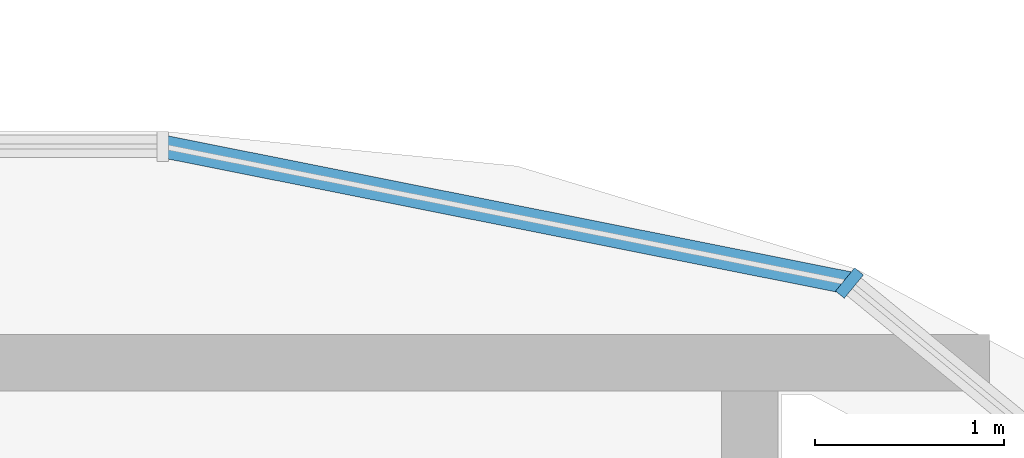
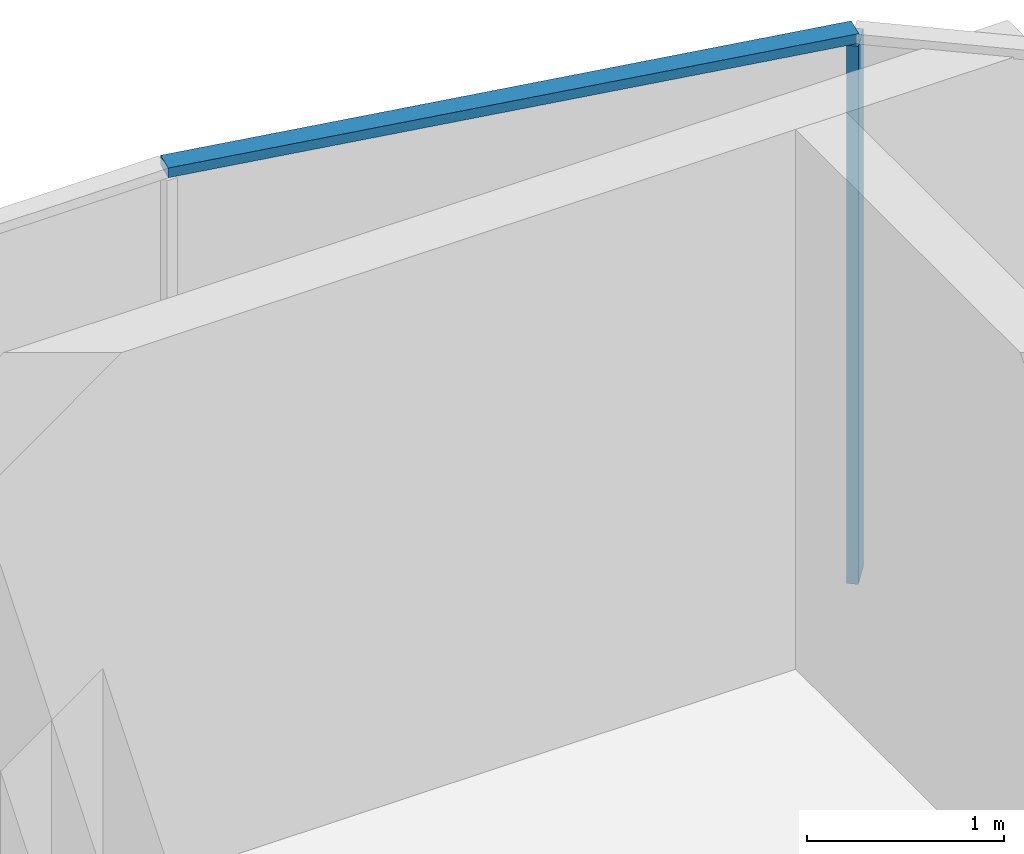
# One storey, part 5 of 18: 2 members, 1 element without a shape of its own.
"""IFC4 building model written with IfcOpenShell, lengths in metres."""

from ifc_helpers import new_model, si_unit, direction, frame, origin, origin_2d, place, context, subcontext, project, spatial, rectangle, extrude, material, material_profile, profile_set, type_object, element, aggregate, save


model = new_model("IFC4")

# Units and contexts
model_context = context("Model", 3, precision=1e-05, world=origin(), true_north=direction((0.0, 1.0)))
body_context = subcontext(model_context, "Body", "Model", "MODEL_VIEW")
ifc_project = project(units=[si_unit("LENGTHUNIT", "METRE"), si_unit("AREAUNIT", "SQUARE_METRE"), si_unit("VOLUMEUNIT", "CUBIC_METRE"), si_unit("PLANEANGLEUNIT", "RADIAN"), si_unit("MASSUNIT", "GRAM", prefix="KILO")], contexts=[model_context])

# Site, building, storey
site_placement = place(None, origin())
site = spatial("IfcSite", under=ifc_project, at=site_placement, CompositionType="ELEMENT")
building_placement = place(site_placement, origin())
building = spatial("IfcBuilding", under=site, at=building_placement, Name="Ogive Portal Towers", CompositionType="ELEMENT")
storey_placement = place(building_placement, frame((0.0, 0.0, 240.199951171875)))
storey = spatial("IfcBuildingStorey", under=building, at=storey_placement, Name="L60", CompositionType="ELEMENT", Elevation=240.199951171875)

# Curtain wall, members
ifc_material_1 = material(Name="Glass, clear low-iron insulated glazing", Category="glass")
curtain_wall_type = type_object("IfcCurtainWallType", Name="CW FRONT RIBBON 4500", PredefinedType="NOTDEFINED", material=ifc_material_1)
curtain_wall_placement = place(storey_placement, origin())
curtain_wall = element("IfcCurtainWall", 1, at=curtain_wall_placement, inside=storey, type_object=curtain_wall_type, Name="A:L60:f13:cwa", PredefinedType="NOTDEFINED")
ifc_material_2 = material(Name="Aluminium 6063 anodised", Category="aluminium")
ifc_material_profile_1 = material_profile(ifc_material_2, rectangle(XDim=0.159912109375, YDim=0.06005859375, at=origin_2d()), Name="AL 60x160")
ifc_profile_set_1 = profile_set([ifc_material_profile_1], Name="Aluminium 6063 anodised")
member_type_1 = type_object("IfcMemberType", Name="CW MULLION 60x160", PredefinedType="MULLION", material=ifc_profile_set_1)
member_1_placement = place(storey_placement, frame((91.12890625, 41.271484375, 0.0), z_axis=(0.0, 0.0, 1.0), x_axis=(-0.634393284164, -0.773010453363, 0.0)))
member_1 = element("IfcMember", 2, at=member_1_placement, type_object=member_type_1, Name="mullion", PredefinedType="MULLION", context=body_context, shape_type="SweptSolid", body=[
    extrude(rectangle(XDim=0.159912109375, YDim=0.06005859375, at=origin_2d()), origin(), (0.0, 0.0, 1.0), 3.340087890625),
])
ifc_material_profile_2 = material_profile(ifc_material_2, rectangle(XDim=0.1201171875, YDim=0.06005859375, at=origin_2d()), Name="AL 120x60")
ifc_profile_set_2 = profile_set([ifc_material_profile_2], Name="Aluminium 6063 anodised")
member_type_2 = type_object("IfcMemberType", Name="CW TRANSOM 60x120", PredefinedType="USERDEFINED", material=ifc_profile_set_2)
member_2_placement = place(storey_placement, frame((91.12890625, 41.271484375, 3.3701171875), z_axis=(-0.980772662828, 0.195153744134, 0.0), x_axis=(-0.195153744134, -0.980772662828, 0.0)))
member_2 = element("IfcMember", 3, at=member_2_placement, type_object=member_type_2, Name="transom", ObjectType="TRANSOM", PredefinedType="USERDEFINED", context=body_context, shape_type="SweptSolid", body=[
    extrude(rectangle(XDim=0.1201171875, YDim=0.06005859375, at=origin_2d()), origin(), (0.0, 0.0, 1.0), 3.7080078125),
])
aggregate(curtain_wall, [member_2, member_1])

save(model, "model.ifc")
